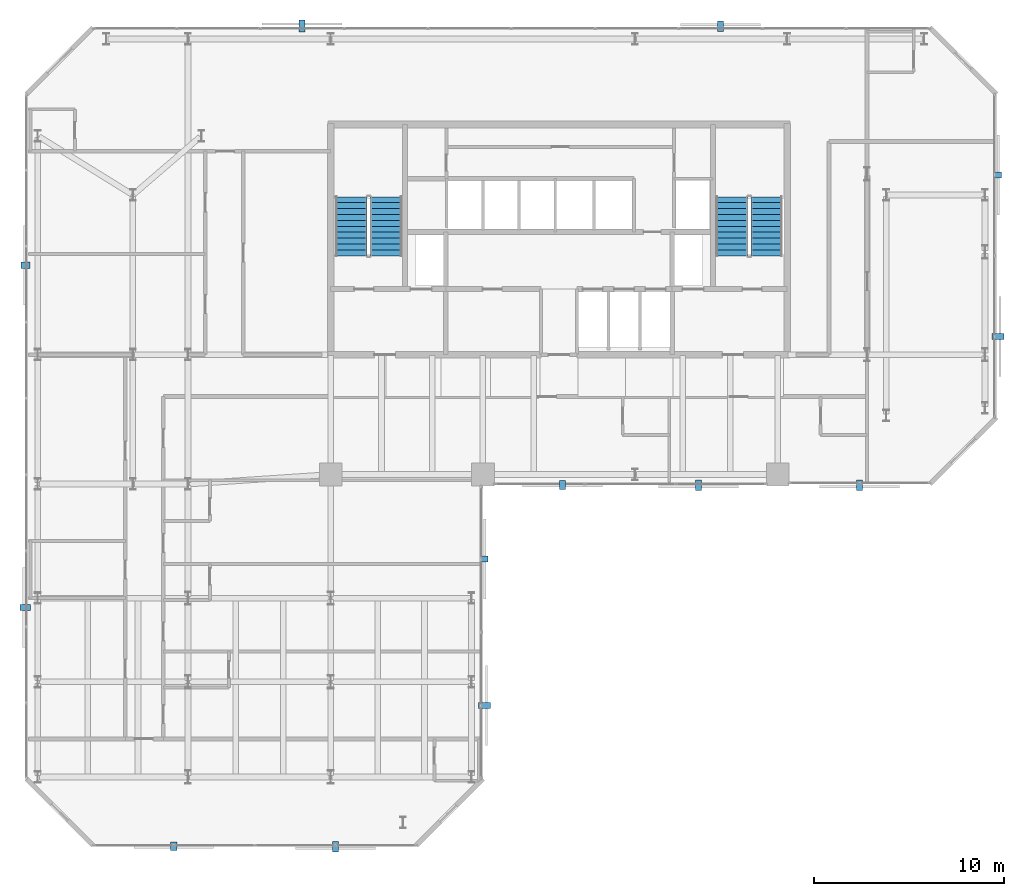
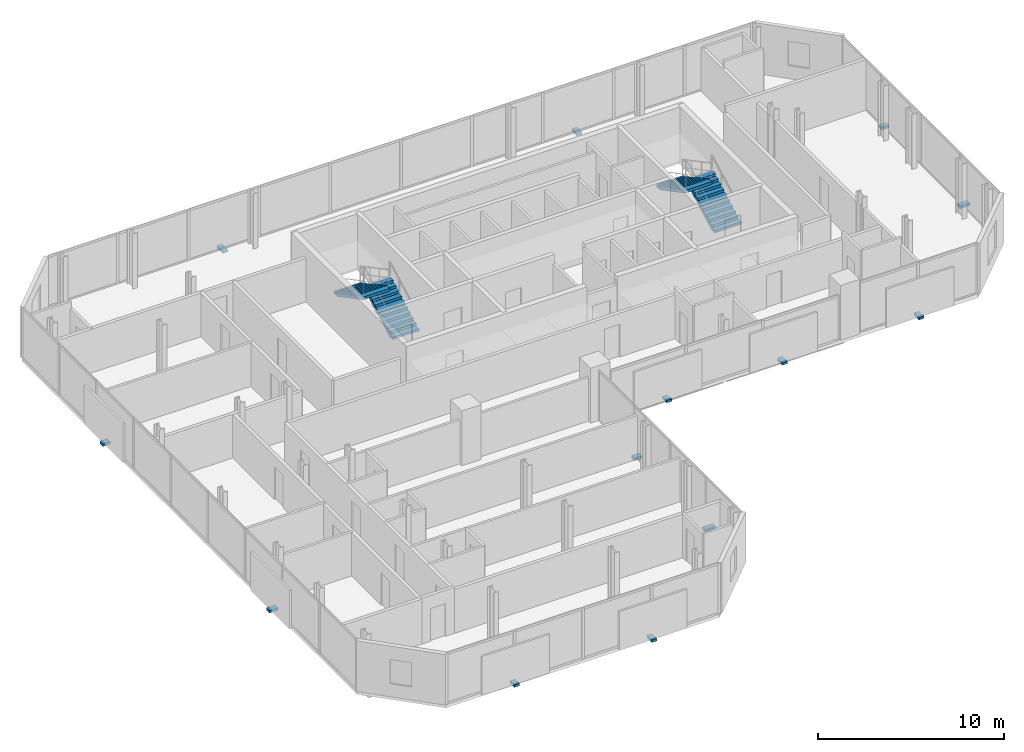
# One storey, part 30 of 32: 13 discrete accessories, 4 stair flights, 2 elements without a shape of their own.
"""IFC4 building model written with IfcOpenShell, lengths in metres."""

from ifc_helpers import new_model, si_unit, direction, frame, origin, origin_2d, place, context, subcontext, project, spatial, polyline, rectangle, outline, extrude, material, type_object, element, aggregate, save


model = new_model("IFC4")

# Units and contexts
model_context = context("Model", 3, precision=1e-05, world=origin(), true_north=direction((0.0, 1.0)))
body_context = subcontext(model_context, "Body", "Model", "MODEL_VIEW")
ifc_project = project(units=[si_unit("LENGTHUNIT", "METRE"), si_unit("AREAUNIT", "SQUARE_METRE"), si_unit("VOLUMEUNIT", "CUBIC_METRE"), si_unit("PLANEANGLEUNIT", "RADIAN"), si_unit("MASSUNIT", "GRAM", prefix="KILO")], contexts=[model_context])

# Site, building, storey
site_placement = place(None, origin())
site = spatial("IfcSite", under=ifc_project, at=site_placement, CompositionType="ELEMENT")
building_placement = place(site_placement, origin())
building = spatial("IfcBuilding", under=site, at=building_placement, Name="Catumbela Crestline Tower", CompositionType="ELEMENT")
storey_placement = place(building_placement, frame((0.0, 0.0, 126.0)))
storey = spatial("IfcBuildingStorey", under=building, at=storey_placement, Name="L32", CompositionType="ELEMENT", Elevation=126.0)

# Stair, stair flights
ifc_material_1 = material(Name="Concrete C45/55", Category="concrete")
stair_type = type_object("IfcStairType", Name="ST-DLG", PredefinedType="HALF_TURN_STAIR", material=ifc_material_1)
stair_1_placement = place(storey_placement, origin())
stair_1 = element("IfcStair", 1, at=stair_1_placement, inside=storey, type_object=stair_type, Name="L32 West Core Pressurised Exit Stair ST-01", PredefinedType="HALF_TURN_STAIR")
stair_flight_type = type_object("IfcStairFlightType", Name="SF-1636", PredefinedType="STRAIGHT", material=ifc_material_1)
stair_flight_1_placement = place(storey_placement, frame((18.92, 36.0, 0.0), z_axis=(0.0, 0.0, 1.0), x_axis=(0.0, 1.0, 0.0)))
stair_flight_1 = element("IfcStairFlight", 2, at=stair_flight_1_placement, type_object=stair_flight_type, Name="ST-01 flight 1", NumberOfRisers=11, NumberOfTreads=10, PredefinedType="STRAIGHT", RiserHeight=0.163636364, TreadLength=0.31, context=body_context, shape_type="SweptSolid", body=[
    extrude(outline(polyline([(0.0, 0.0), (0.0, 0.1636), (0.31, 0.1636), (0.31, 0.3273), (0.62, 0.3273), (0.62, 0.4909), (0.93, 0.4909), (0.93, 0.6545), (1.24, 0.6545), (1.24, 0.8182), (1.55, 0.8182), (1.55, 0.9818), (1.86, 0.9818), (1.86, 1.1455), (2.17, 1.1455), (2.17, 1.3091), (2.48, 1.3091), (2.48, 1.4727), (2.79, 1.4727), (2.79, 1.6364), (3.1, 1.6364), (3.1, 1.8), (3.1, 1.4554), (0.3427, 0.0), (0.0, 0.0)])), frame((0.0, 0.83, 0.0), z_axis=(0.0, -1.0, 0.0), x_axis=(1.0, 0.0, 0.0)), (0.0, 0.0, 1.0), 1.66),
])
stair_flight_2_placement = place(storey_placement, frame((17.08, 39.1, 1.8), z_axis=(0.0, 0.0, 1.0), x_axis=(0.0, -1.0, 0.0)))
stair_flight_2 = element("IfcStairFlight", 3, at=stair_flight_2_placement, type_object=stair_flight_type, Name="ST-01 flight 2", NumberOfRisers=11, NumberOfTreads=10, PredefinedType="STRAIGHT", RiserHeight=0.163636364, TreadLength=0.31, context=body_context, shape_type="SweptSolid", body=[
    extrude(outline(polyline([(0.0, 0.0), (0.0, 0.1636), (0.31, 0.1636), (0.31, 0.3273), (0.62, 0.3273), (0.62, 0.4909), (0.93, 0.4909), (0.93, 0.6545), (1.24, 0.6545), (1.24, 0.8182), (1.55, 0.8182), (1.55, 0.9818), (1.86, 0.9818), (1.86, 1.1455), (2.17, 1.1455), (2.17, 1.3091), (2.48, 1.3091), (2.48, 1.4727), (2.79, 1.4727), (2.79, 1.6364), (3.1, 1.6364), (3.1, 1.8), (3.1, 1.4554), (0.3427, 0.0), (0.0, 0.0)])), frame((0.0, 0.83, 0.0), z_axis=(0.0, -1.0, 0.0), x_axis=(1.0, 0.0, 0.0)), (0.0, 0.0, 1.0), 1.66),
])
aggregate(stair_1, [stair_flight_1, stair_flight_2])

stair_2_placement = place(storey_placement, origin())
stair_2 = element("IfcStair", 4, at=stair_2_placement, inside=storey, type_object=stair_type, Name="L32 East Core Pressurised Exit Stair ST-02", PredefinedType="HALF_TURN_STAIR")
stair_flight_3_placement = place(storey_placement, frame((38.92, 36.0, 0.0), z_axis=(0.0, 0.0, 1.0), x_axis=(0.0, 1.0, 0.0)))
stair_flight_3 = element("IfcStairFlight", 5, at=stair_flight_3_placement, type_object=stair_flight_type, Name="ST-02 flight 1", NumberOfRisers=11, NumberOfTreads=10, PredefinedType="STRAIGHT", RiserHeight=0.163636364, TreadLength=0.31, context=body_context, shape_type="SweptSolid", body=[
    extrude(outline(polyline([(0.0, 0.0), (0.0, 0.1636), (0.31, 0.1636), (0.31, 0.3273), (0.62, 0.3273), (0.62, 0.4909), (0.93, 0.4909), (0.93, 0.6545), (1.24, 0.6545), (1.24, 0.8182), (1.55, 0.8182), (1.55, 0.9818), (1.86, 0.9818), (1.86, 1.1455), (2.17, 1.1455), (2.17, 1.3091), (2.48, 1.3091), (2.48, 1.4727), (2.79, 1.4727), (2.79, 1.6364), (3.1, 1.6364), (3.1, 1.8), (3.1, 1.4554), (0.3427, 0.0), (0.0, 0.0)])), frame((0.0, 0.83, 0.0), z_axis=(0.0, -1.0, 0.0), x_axis=(1.0, 0.0, 0.0)), (0.0, 0.0, 1.0), 1.66),
])
stair_flight_4_placement = place(storey_placement, frame((37.08, 39.1, 1.8), z_axis=(0.0, 0.0, 1.0), x_axis=(0.0, -1.0, 0.0)))
stair_flight_4 = element("IfcStairFlight", 6, at=stair_flight_4_placement, type_object=stair_flight_type, Name="ST-02 flight 2", NumberOfRisers=11, NumberOfTreads=10, PredefinedType="STRAIGHT", RiserHeight=0.163636364, TreadLength=0.31, context=body_context, shape_type="SweptSolid", body=[
    extrude(outline(polyline([(0.0, 0.0), (0.0, 0.1636), (0.31, 0.1636), (0.31, 0.3273), (0.62, 0.3273), (0.62, 0.4909), (0.93, 0.4909), (0.93, 0.6545), (1.24, 0.6545), (1.24, 0.8182), (1.55, 0.8182), (1.55, 0.9818), (1.86, 0.9818), (1.86, 1.1455), (2.17, 1.1455), (2.17, 1.3091), (2.48, 1.3091), (2.48, 1.4727), (2.79, 1.4727), (2.79, 1.6364), (3.1, 1.6364), (3.1, 1.8), (3.1, 1.4554), (0.3427, 0.0), (0.0, 0.0)])), frame((0.0, 0.83, 0.0), z_axis=(0.0, -1.0, 0.0), x_axis=(1.0, 0.0, 0.0)), (0.0, 0.0, 1.0), 1.66),
])
aggregate(stair_2, [stair_flight_3, stair_flight_4])

# Discrete accessories
ifc_material_2 = material(Name="Stainless steel EN 1.4401", Category="steel")
discrete_accessory_type = type_object("IfcDiscreteAccessoryType", Name="BK-SS1", PredefinedType="BRACKET", material=ifc_material_2)
discrete_accessory_1_placement = place(storey_placement, frame((7.75, 4.955, -0.18), z_axis=(0.0, 0.0, 1.0), x_axis=(1.0, 0.0, 0.0)))
element("IfcDiscreteAccessory", 7, at=discrete_accessory_1_placement, inside=storey, type_object=discrete_accessory_type, Name="L32 Solar Screen Stainless Bracket 341", PredefinedType="BRACKET", context=body_context, shape_type="SweptSolid", body=[
    extrude(rectangle(XDim=0.32, YDim=0.46, at=origin_2d()), origin(), (0.0, 0.0, 1.0), 0.16),
])
discrete_accessory_2_placement = place(storey_placement, frame((16.25, 4.935, -0.18), z_axis=(0.0, 0.0, 1.0), x_axis=(1.0, 0.0, 0.0)))
element("IfcDiscreteAccessory", 8, at=discrete_accessory_2_placement, inside=storey, type_object=discrete_accessory_type, Name="L32 Solar Screen Stainless Bracket 342", PredefinedType="BRACKET", context=body_context, shape_type="SweptSolid", body=[
    extrude(rectangle(XDim=0.32, YDim=0.54, at=origin_2d()), origin(), (0.0, 0.0, 1.0), 0.16),
])
discrete_accessory_3_placement = place(storey_placement, frame((24.085, 12.35, -0.18), z_axis=(0.0, 0.0, 1.0), x_axis=(0.0, 1.0, 0.0)))
element("IfcDiscreteAccessory", 9, at=discrete_accessory_3_placement, inside=storey, type_object=discrete_accessory_type, Name="L32 Solar Screen Stainless Bracket 343", PredefinedType="BRACKET", context=body_context, shape_type="SweptSolid", body=[
    extrude(rectangle(XDim=0.32, YDim=0.62, at=origin_2d()), origin(), (0.0, 0.0, 1.0), 0.16),
])
for number, where, z_axis, x_axis, name in (
    (10, (24.045, 20.05, -0.18), (0.0, 0.0, 1.0), (0.0, 1.0, 0.0), "L32 Solar Screen Stainless Bracket 344"),
    (11, (28.175, 23.955, -0.18), (0.0, 0.0, 1.0), (1.0, 0.0, 0.0), "L32 Solar Screen Stainless Bracket 345"),
):
    element("IfcDiscreteAccessory", number, at=place(storey_placement, frame(where, z_axis=z_axis, x_axis=x_axis)), inside=storey, type_object=discrete_accessory_type, Name=name, PredefinedType="BRACKET", context=body_context, shape_type="SweptSolid", body=[
        extrude(rectangle(XDim=0.32, YDim=0.46, at=origin_2d()), origin(), (0.0, 0.0, 1.0), 0.16),
    ])
for number, where, z_axis, x_axis, name in (
    (12, (35.325, 23.935, -0.18), (0.0, 0.0, 1.0), (1.0, 0.0, 0.0), "L32 Solar Screen Stainless Bracket 346"),
    (13, (43.8, 23.935, -0.18), (0.0, 0.0, 1.0), (1.0, 0.0, 0.0), "L32 Solar Screen Stainless Bracket 347"),
):
    element("IfcDiscreteAccessory", number, at=place(storey_placement, frame(where, z_axis=z_axis, x_axis=x_axis)), inside=storey, type_object=discrete_accessory_type, Name=name, PredefinedType="BRACKET", context=body_context, shape_type="SweptSolid", body=[
        extrude(rectangle(XDim=0.32, YDim=0.54, at=origin_2d()), origin(), (0.0, 0.0, 1.0), 0.16),
    ])
discrete_accessory_4_placement = place(storey_placement, frame((51.085, 31.75, -0.18), z_axis=(0.0, 0.0, 1.0), x_axis=(0.0, 1.0, 0.0)))
element("IfcDiscreteAccessory", 14, at=discrete_accessory_4_placement, inside=storey, type_object=discrete_accessory_type, Name="L32 Solar Screen Stainless Bracket 348", PredefinedType="BRACKET", context=body_context, shape_type="SweptSolid", body=[
    extrude(rectangle(XDim=0.32, YDim=0.62, at=origin_2d()), origin(), (0.0, 0.0, 1.0), 0.16),
])
discrete_accessory_5_placement = place(storey_placement, frame((51.045, 40.25, -0.18), z_axis=(0.0, 0.0, 1.0), x_axis=(0.0, 1.0, 0.0)))
element("IfcDiscreteAccessory", 15, at=discrete_accessory_5_placement, inside=storey, type_object=discrete_accessory_type, Name="L32 Solar Screen Stainless Bracket 349", PredefinedType="BRACKET", context=body_context, shape_type="SweptSolid", body=[
    extrude(rectangle(XDim=0.32, YDim=0.46, at=origin_2d()), origin(), (0.0, 0.0, 1.0), 0.16),
])
discrete_accessory_6_placement = place(storey_placement, frame((36.5, 48.065, -0.18), z_axis=(0.0, 0.0, 1.0), x_axis=(-1.0, 0.0, 0.0)))
element("IfcDiscreteAccessory", 16, at=discrete_accessory_6_placement, inside=storey, type_object=discrete_accessory_type, Name="L32 Solar Screen Stainless Bracket 350", PredefinedType="BRACKET", context=body_context, shape_type="SweptSolid", body=[
    extrude(rectangle(XDim=0.32, YDim=0.54, at=origin_2d()), origin(), (0.0, 0.0, 1.0), 0.16),
])
discrete_accessory_7_placement = place(storey_placement, frame((14.5, 48.085, -0.18), z_axis=(0.0, 0.0, 1.0), x_axis=(-1.0, 0.0, 0.0)))
element("IfcDiscreteAccessory", 17, at=discrete_accessory_7_placement, inside=storey, type_object=discrete_accessory_type, Name="L32 Solar Screen Stainless Bracket 351", PredefinedType="BRACKET", context=body_context, shape_type="SweptSolid", body=[
    extrude(rectangle(XDim=0.32, YDim=0.62, at=origin_2d()), origin(), (0.0, 0.0, 1.0), 0.16),
])
discrete_accessory_8_placement = place(storey_placement, frame((-0.045, 35.5, -0.18), z_axis=(0.0, 0.0, 1.0), x_axis=(0.0, -1.0, 0.0)))
element("IfcDiscreteAccessory", 18, at=discrete_accessory_8_placement, inside=storey, type_object=discrete_accessory_type, Name="L32 Solar Screen Stainless Bracket 352", PredefinedType="BRACKET", context=body_context, shape_type="SweptSolid", body=[
    extrude(rectangle(XDim=0.32, YDim=0.46, at=origin_2d()), origin(), (0.0, 0.0, 1.0), 0.16),
])
discrete_accessory_9_placement = place(storey_placement, frame((-0.065, 17.5, -0.18), z_axis=(0.0, 0.0, 1.0), x_axis=(0.0, -1.0, 0.0)))
element("IfcDiscreteAccessory", 19, at=discrete_accessory_9_placement, inside=storey, type_object=discrete_accessory_type, Name="L32 Solar Screen Stainless Bracket 353", PredefinedType="BRACKET", context=body_context, shape_type="SweptSolid", body=[
    extrude(rectangle(XDim=0.32, YDim=0.54, at=origin_2d()), origin(), (0.0, 0.0, 1.0), 0.16),
])

save(model, "model.ifc")
